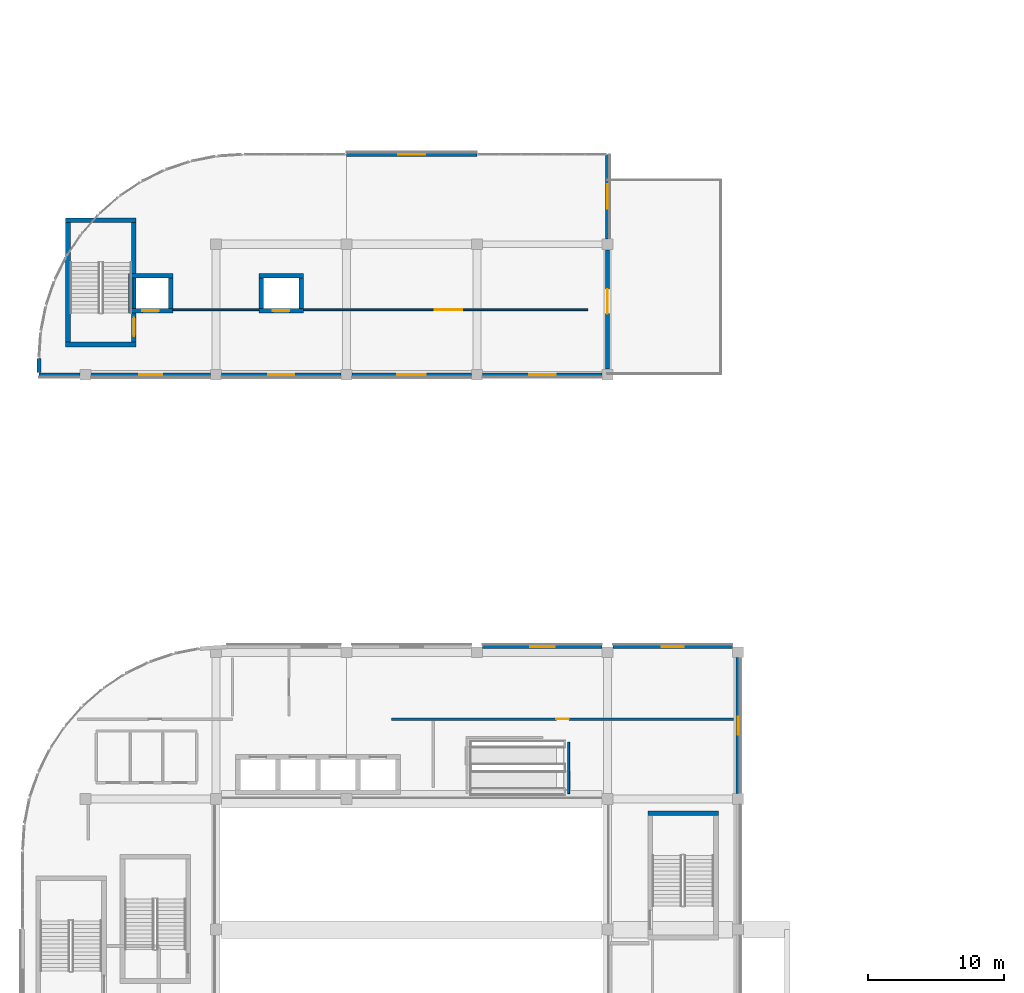
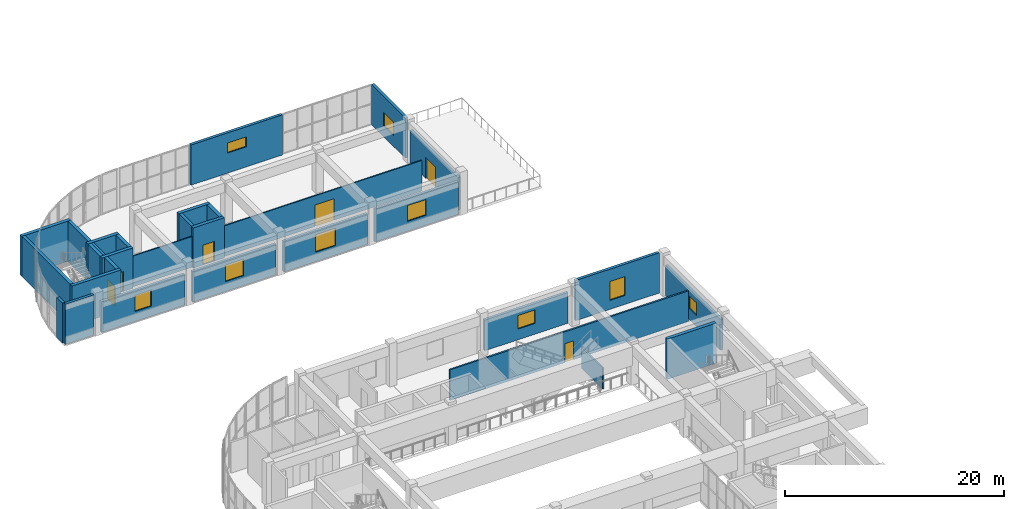
# One storey, part 23 of 33: 29 walls, 9 windows, 6 doors, 15 openings.
"""IFC4 building model written with IfcOpenShell, lengths in metres."""

from ifc_helpers import new_model, si_unit, direction, frame, frame_2d, origin, place, context, subcontext, project, spatial, rectangle, extrude, material, layer, layer_set, type_object, element, fill, save


model = new_model("IFC4")

# Units and contexts
model_context = context("Model", 3, precision=1e-05, world=origin(), true_north=direction((0.0, 1.0)))
body_context = subcontext(model_context, "Body", "Model", "MODEL_VIEW")
ifc_project = project(units=[si_unit("LENGTHUNIT", "METRE"), si_unit("AREAUNIT", "SQUARE_METRE"), si_unit("VOLUMEUNIT", "CUBIC_METRE"), si_unit("PLANEANGLEUNIT", "RADIAN"), si_unit("MASSUNIT", "GRAM", prefix="KILO")], contexts=[model_context])

# Site, building, storey
site_placement = place(None, origin())
site = spatial("IfcSite", under=ifc_project, at=site_placement, CompositionType="ELEMENT")
building_placement = place(site_placement, origin())
building = spatial("IfcBuilding", under=site, at=building_placement, Name="Cendralis Terraced Arcade", CompositionType="ELEMENT")
storey_placement = place(building_placement, frame((0.0, 0.0, 19.800048828125)))
storey = spatial("IfcBuildingStorey", under=building, at=storey_placement, Name="L04", CompositionType="ELEMENT", Elevation=19.800048828125)

# Walls
ifc_material_1 = material(Name="Concrete f'c 42 MPa", Category="concrete")
ifc_layer_1 = layer(ifc_material_1, 0.340087890625, Name="WL-CORE-340")
ifc_layer_set_1 = layer_set([ifc_layer_1], Name="Concrete f'c 42 MPa")
wall_type_1 = type_object("IfcWallType", Name="WL-CORE-340", PredefinedType="SHEAR", material=ifc_layer_set_1)
wall_1_placement = place(storey_placement, frame((50.9599609375, 37.3701171875, 0.0), z_axis=(0.0, 0.0, 1.0), x_axis=(1.0, 0.0, 0.0)))
element("IfcWall", 1, at=wall_1_placement, inside=storey, type_object=wall_type_1, Name="Stair Core Reinforced Concrete Shear Wall SW-ST-04-L04-N", PredefinedType="SHEAR", context=body_context, shape_type="SweptSolid", body=[
    extrude(rectangle(XDim=5.179931640625, YDim=0.340087890625, at=frame_2d((2.58984375, 0.0))), origin(), (0.0, 0.0, 1.0), 4.47998046875),
])
for number, where, z_axis, x_axis, name in (
    (2, (8.159912109375, 71.830078125, 0.0), (0.0, 0.0, 1.0), (1.0, 0.0, 0.0), "Stair Core Reinforced Concrete Shear Wall SW-ST-07-L04-S"),
    (3, (8.159912109375, 80.969970703125, 0.0), (0.0, 0.0, 1.0), (1.0, 0.0, 0.0), "Stair Core Reinforced Concrete Shear Wall SW-ST-07-L04-N"),
):
    element("IfcWall", number, at=place(storey_placement, frame(where, z_axis=z_axis, x_axis=x_axis)), inside=storey, type_object=wall_type_1, Name=name, PredefinedType="SHEAR", context=body_context, shape_type="SweptSolid", body=[
        extrude(rectangle(XDim=5.18017578125, YDim=0.340087890625, at=frame_2d((2.590087890625, 0.0))), origin(), (0.0, 0.0, 1.0), 4.47998046875),
    ])

# Wall, opening, door
wall_2_placement = place(storey_placement, frame((13.169921875, 72.0, 0.0), z_axis=(0.0, 0.0, 1.0), x_axis=(0.0, 1.0, 0.0)))
wall_2 = element("IfcWall", 4, at=wall_2_placement, inside=storey, type_object=wall_type_1, Name="Stair Core Reinforced Concrete Shear Wall SW-ST-07-L04-E", PredefinedType="SHEAR", context=body_context, shape_type="SweptSolid", body=[
    extrude(rectangle(XDim=8.800048828125, YDim=0.340087890625, at=frame_2d((4.39990234375, 0.0))), origin(), (0.0, 0.0, 1.0), 4.47998046875),
])
opening_1_placement = place(wall_2_placement, frame((0.449951171875, 0.0, 0.0)))
opening_1 = element("IfcOpeningElement", 5, at=opening_1_placement, cuts=wall_2, Name="Opening D-ST-07-L04", PredefinedType="OPENING", context=body_context, shape_type="SweptSolid", body=[
    extrude(rectangle(XDim=1.35009765625, YDim=2.199951171875, at=frame_2d((0.675048828125, 1.10009765625))), frame((0.0, 0.18212890625, 0.0), z_axis=(0.0, -1.0, 0.0), x_axis=(1.0, 0.0, 0.0)), (0.0, 0.0, 1.0), 0.364013671875),
])
ifc_material_2 = material(Name="Galvanised fire-rated steel door assembly", Category="steel")
door_type_1 = type_object("IfcDoorType", Name="ID-ST-1350x2200", OperationType="NOTDEFINED", PredefinedType="DOOR", material=ifc_material_2)
door_1_placement = place(opening_1_placement, origin())
door_1 = element("IfcDoor", 6, at=door_1_placement, inside=storey, type_object=door_type_1, Name="Protected Stair ST-07 Fire Door (L04)", OperationType="SINGLE_SWING_RIGHT", OverallHeight=2.199951171875, OverallWidth=1.35009765625, PredefinedType="DOOR", context=body_context, shape_type="SweptSolid", body=[
    extrude(rectangle(XDim=1.35009765625, YDim=2.199951171875, at=frame_2d((0.675048828125, 1.10009765625))), frame((0.0, 0.02490234375, 0.0), z_axis=(0.0, -1.0, 0.0), x_axis=(1.0, 0.0, 0.0)), (0.0, 0.0, 1.0), 0.050048828125),
])
fill(opening_1, door_1)

# Wall
wall_3_placement = place(storey_placement, frame((8.330078125, 72.0, 0.0), z_axis=(0.0, 0.0, 1.0), x_axis=(0.0, 1.0, 0.0)))
element("IfcWall", 7, at=wall_3_placement, inside=storey, type_object=wall_type_1, Name="Stair Core Reinforced Concrete Shear Wall SW-ST-07-L04-W", PredefinedType="SHEAR", context=body_context, shape_type="SweptSolid", body=[
    extrude(rectangle(XDim=8.800048828125, YDim=0.340087890625, at=frame_2d((4.39990234375, 0.0))), origin(), (0.0, 0.0, 1.0), 4.47998046875),
])

# Wall, opening, door
wall_4_placement = place(storey_placement, frame((12.760009765625, 74.304931640625, 0.0), z_axis=(0.0, 0.0, 1.0), x_axis=(1.0, 0.0, 0.0)))
wall_4 = element("IfcWall", 8, at=wall_4_placement, inside=storey, type_object=wall_type_1, Name="Lift PL-05 Reinforced Concrete Shaft Wall (L04)", PredefinedType="SHEAR", context=body_context, shape_type="SweptSolid", body=[
    extrude(rectangle(XDim=3.280029296875, YDim=0.340087890625, at=frame_2d((1.64013671875, 0.0))), origin(), (0.0, 0.0, 1.0), 4.47998046875),
])
opening_2_placement = place(wall_4_placement, frame((1.0400390625, 0.0, 0.0)))
opening_2 = element("IfcOpeningElement", 9, at=opening_2_placement, cuts=wall_4, Name="Opening LD-PL-05-L04", PredefinedType="OPENING", context=body_context, shape_type="SweptSolid", body=[
    extrude(rectangle(XDim=1.199951171875, YDim=2.199951171875, at=frame_2d((0.60009765625, 1.10009765625))), frame((0.0, 0.18212890625, 0.0), z_axis=(0.0, -1.0, 0.0), x_axis=(1.0, 0.0, 0.0)), (0.0, 0.0, 1.0), 0.364013671875),
])
ifc_material_3 = material(Name="Anodised aluminium sliding door assembly", Category="aluminium")
door_type_2 = type_object("IfcDoorType", Name="ID-LD-PX-1200x2200", OperationType="DOUBLE_DOOR_SLIDING", PredefinedType="DOOR", material=ifc_material_3)
door_2_placement = place(opening_2_placement, origin())
door_2 = element("IfcDoor", 10, at=door_2_placement, inside=storey, type_object=door_type_2, Name="Lift PL-05 Sliding Landing Door (L04)", OperationType="DOUBLE_DOOR_SLIDING", OverallHeight=2.199951171875, OverallWidth=1.199951171875, PredefinedType="DOOR", context=body_context, shape_type="SweptSolid", body=[
    extrude(rectangle(XDim=1.199951171875, YDim=2.199951171875, at=frame_2d((0.60009765625, 1.10009765625))), frame((0.0, 0.02490234375, 0.0), z_axis=(0.0, -1.0, 0.0), x_axis=(1.0, 0.0, 0.0)), (0.0, 0.0, 1.0), 0.050048828125),
])
fill(opening_2, door_2)

# Walls
wall_5_placement = place(storey_placement, frame((12.760009765625, 76.89501953125, 0.0), z_axis=(0.0, 0.0, 1.0), x_axis=(1.0, 0.0, 0.0)))
element("IfcWall", 11, at=wall_5_placement, inside=storey, type_object=wall_type_1, Name="Lift PL-05 Reinforced Concrete Shaft Wall (L04)", PredefinedType="SHEAR", context=body_context, shape_type="SweptSolid", body=[
    extrude(rectangle(XDim=3.280029296875, YDim=0.340087890625, at=frame_2d((1.64013671875, 0.0))), origin(), (0.0, 0.0, 1.0), 4.47998046875),
])
for number, where, z_axis, x_axis, name in (
    (12, (12.929931640625, 74.47509765625, 0.0), (0.0, 0.0, 1.0), (0.0, 1.0, 0.0), "Lift PL-05 Reinforced Concrete Shaft Wall (L04)"),
    (13, (15.8701171875, 74.47509765625, 0.0), (0.0, 0.0, 1.0), (0.0, 1.0, 0.0), "Lift PL-05 Reinforced Concrete Shaft Wall (L04)"),
):
    element("IfcWall", number, at=place(storey_placement, frame(where, z_axis=z_axis, x_axis=x_axis)), inside=storey, type_object=wall_type_1, Name=name, PredefinedType="SHEAR", context=body_context, shape_type="SweptSolid", body=[
        extrude(rectangle(XDim=2.25, YDim=0.340087890625, at=frame_2d((1.125, 0.0))), origin(), (0.0, 0.0, 1.0), 4.47998046875),
    ])

# Wall, opening, door
wall_6_placement = place(storey_placement, frame((22.360107421875, 74.304931640625, 0.0), z_axis=(0.0, 0.0, 1.0), x_axis=(1.0, 0.0, 0.0)))
wall_6 = element("IfcWall", 14, at=wall_6_placement, inside=storey, type_object=wall_type_1, Name="Lift PL-06 Reinforced Concrete Shaft Wall (L04)", PredefinedType="SHEAR", context=body_context, shape_type="SweptSolid", body=[
    extrude(rectangle(XDim=3.27978515625, YDim=0.340087890625, at=frame_2d((1.639892578125, 0.0))), origin(), (0.0, 0.0, 1.0), 4.47998046875),
])
opening_3_placement = place(wall_6_placement, frame((1.0400390625, 0.0, 0.0)))
opening_3 = element("IfcOpeningElement", 15, at=opening_3_placement, cuts=wall_6, Name="Opening LD-PL-06-L04", PredefinedType="OPENING", context=body_context, shape_type="SweptSolid", body=[
    extrude(rectangle(XDim=1.199951171875, YDim=2.199951171875, at=frame_2d((0.60009765625, 1.10009765625))), frame((0.0, 0.18212890625, 0.0), z_axis=(0.0, -1.0, 0.0), x_axis=(1.0, 0.0, 0.0)), (0.0, 0.0, 1.0), 0.364013671875),
])
door_3_placement = place(opening_3_placement, origin())
door_3 = element("IfcDoor", 16, at=door_3_placement, inside=storey, type_object=door_type_2, Name="Lift PL-06 Sliding Landing Door (L04)", OperationType="DOUBLE_DOOR_SLIDING", OverallHeight=2.199951171875, OverallWidth=1.199951171875, PredefinedType="DOOR", context=body_context, shape_type="SweptSolid", body=[
    extrude(rectangle(XDim=1.199951171875, YDim=2.199951171875, at=frame_2d((0.60009765625, 1.10009765625))), frame((0.0, 0.02490234375, 0.0), z_axis=(0.0, -1.0, 0.0), x_axis=(1.0, 0.0, 0.0)), (0.0, 0.0, 1.0), 0.050048828125),
])
fill(opening_3, door_3)

# Walls
wall_7_placement = place(storey_placement, frame((22.360107421875, 76.89501953125, 0.0), z_axis=(0.0, 0.0, 1.0), x_axis=(1.0, 0.0, 0.0)))
element("IfcWall", 17, at=wall_7_placement, inside=storey, type_object=wall_type_1, Name="Lift PL-06 Reinforced Concrete Shaft Wall (L04)", PredefinedType="SHEAR", context=body_context, shape_type="SweptSolid", body=[
    extrude(rectangle(XDim=3.27978515625, YDim=0.340087890625, at=frame_2d((1.639892578125, 0.0))), origin(), (0.0, 0.0, 1.0), 4.47998046875),
])
for number, where, z_axis, x_axis, name in (
    (18, (22.530029296875, 74.47509765625, 0.0), (0.0, 0.0, 1.0), (0.0, 1.0, 0.0), "Lift PL-06 Reinforced Concrete Shaft Wall (L04)"),
    (19, (25.469970703125, 74.47509765625, 0.0), (0.0, 0.0, 1.0), (0.0, 1.0, 0.0), "Lift PL-06 Reinforced Concrete Shaft Wall (L04)"),
):
    element("IfcWall", number, at=place(storey_placement, frame(where, z_axis=z_axis, x_axis=x_axis)), inside=storey, type_object=wall_type_1, Name=name, PredefinedType="SHEAR", context=body_context, shape_type="SweptSolid", body=[
        extrude(rectangle(XDim=2.25, YDim=0.340087890625, at=frame_2d((1.125, 0.0))), origin(), (0.0, 0.0, 1.0), 4.47998046875),
    ])

# Wall, opening, window
ifc_material_4 = material(Name="Precast concrete f'c 40 MPa", Category="concrete")
ifc_layer_2 = layer(ifc_material_4, 0.280029296875, Name="WL-EXT-GRC-280")
ifc_layer_set_2 = layer_set([ifc_layer_2], Name="Precast concrete f'c 40 MPa")
wall_type_2 = type_object("IfcWallType", Name="WL-EXT-GRC-280", PredefinedType="SOLIDWALL", material=ifc_layer_set_2)
wall_8_placement = place(storey_placement, frame((38.798095703125, 49.60009765625, 0.0), z_axis=(0.0, 0.0, 1.0), x_axis=(1.0, 0.0, 0.0)))
wall_8 = element("IfcWall", 20, at=wall_8_placement, inside=storey, type_object=wall_type_2, Name="Exterior Architectural Wall EW-L04-0300", PredefinedType="SOLIDWALL", context=body_context, shape_type="SweptSolid", body=[
    extrude(rectangle(XDim=8.803955078125, YDim=0.280029296875, at=frame_2d((4.40185546875, 0.0))), origin(), (0.0, 0.0, 1.0), 3.419921875),
])
opening_4_placement = place(wall_8_placement, frame((3.501953125, 0.0, 1.199951171875)))
opening_4 = element("IfcOpeningElement", 21, at=opening_4_placement, cuts=wall_8, Name="Opening W-19", PredefinedType="OPENING", context=body_context, shape_type="SweptSolid", body=[
    extrude(rectangle(XDim=1.800048828125, YDim=1.5, at=frame_2d((0.89990234375, 0.75))), frame((0.0, 0.15185546875, 0.0), z_axis=(0.0, -1.0, 0.0), x_axis=(1.0, 0.0, 0.0)), (0.0, 0.0, 1.0), 0.303955078125),
])
ifc_material_5 = material(Name="Tempered solar control laminated glass", Category="glass")
window_type_1 = type_object("IfcWindowType", Name="WN-BOH-1800x1500", PartitioningType="SINGLE_PANEL", PredefinedType="WINDOW", material=ifc_material_5)
window_1_placement = place(opening_4_placement, origin())
window_1 = element("IfcWindow", 22, at=window_1_placement, inside=storey, type_object=window_type_1, Name="Exterior Solar-Control Window WN-L04-0203", OverallHeight=1.5, OverallWidth=1.800048828125, PartitioningType="SINGLE_PANEL", PredefinedType="WINDOW", context=body_context, shape_type="SweptSolid", body=[
    extrude(rectangle(XDim=1.800048828125, YDim=1.5, at=frame_2d((0.89990234375, 0.75))), frame((0.0, 0.030029296875, 0.0), z_axis=(0.0, -1.0, 0.0), x_axis=(1.0, 0.0, 0.0)), (0.0, 0.0, 1.0), 0.06005859375),
])
fill(opening_4, window_1)

wall_9_placement = place(storey_placement, frame((48.39794921875, 49.60009765625, 0.0), z_axis=(0.0, 0.0, 1.0), x_axis=(1.0, 0.0, 0.0)))
wall_9 = element("IfcWall", 23, at=wall_9_placement, inside=storey, type_object=wall_type_2, Name="Exterior Architectural Wall EW-L04-0301", PredefinedType="SOLIDWALL", context=body_context, shape_type="SweptSolid", body=[
    extrude(rectangle(XDim=8.803955078125, YDim=0.280029296875, at=frame_2d((4.40185546875, 0.0))), origin(), (0.0, 0.0, 1.0), 4.47998046875),
])
opening_5_placement = place(wall_9_placement, frame((3.60205078125, 0.0, 1.0)))
opening_5 = element("IfcOpeningElement", 24, at=opening_5_placement, cuts=wall_9, Name="Opening W-05", PredefinedType="OPENING", context=body_context, shape_type="SweptSolid", body=[
    extrude(rectangle(XDim=1.60009765625, YDim=2.10009765625, at=frame_2d((0.800048828125, 1.050048828125))), frame((0.0, 0.15185546875, 0.0), z_axis=(0.0, -1.0, 0.0), x_axis=(1.0, 0.0, 0.0)), (0.0, 0.0, 1.0), 0.303955078125),
])
window_type_2 = type_object("IfcWindowType", Name="WN-F1-1600x2100", PartitioningType="SINGLE_PANEL", PredefinedType="WINDOW", material=ifc_material_5)
window_2_placement = place(opening_5_placement, origin())
window_2 = element("IfcWindow", 25, at=window_2_placement, inside=storey, type_object=window_type_2, Name="Exterior Solar-Control Window WN-L04-0204", OverallHeight=2.10009765625, OverallWidth=1.60009765625, PartitioningType="SINGLE_PANEL", PredefinedType="WINDOW", context=body_context, shape_type="SweptSolid", body=[
    extrude(rectangle(XDim=1.60009765625, YDim=2.10009765625, at=frame_2d((0.800048828125, 1.050048828125))), frame((0.0, 0.030029296875, 0.0), z_axis=(0.0, -1.0, 0.0), x_axis=(1.0, 0.0, 0.0)), (0.0, 0.0, 1.0), 0.06005859375),
])
fill(opening_5, window_2)

wall_10_placement = place(storey_placement, frame((57.60009765625, 48.802001953125, 0.0), z_axis=(0.0, 0.0, 1.0), x_axis=(0.0, -1.0, 0.0)))
wall_10 = element("IfcWall", 26, at=wall_10_placement, inside=storey, type_object=wall_type_2, Name="Exterior Architectural Wall EW-L04-0302", PredefinedType="SOLIDWALL", context=body_context, shape_type="SweptSolid", body=[
    extrude(rectangle(XDim=10.00390625, YDim=0.280029296875, at=frame_2d((5.001953125, 0.0))), origin(), (0.0, 0.0, 1.0), 3.419921875),
])
opening_6_placement = place(wall_10_placement, frame((4.326904296875, 0.0, 1.25)))
opening_6 = element("IfcOpeningElement", 27, at=opening_6_placement, cuts=wall_10, Name="Opening W-21", PredefinedType="OPENING", context=body_context, shape_type="SweptSolid", body=[
    extrude(rectangle(XDim=1.35009765625, YDim=1.39990234375, at=frame_2d((0.675048828125, 0.699951171875))), frame((0.0, 0.15185546875, 0.0), z_axis=(0.0, -1.0, 0.0), x_axis=(1.0, 0.0, 0.0)), (0.0, 0.0, 1.0), 0.303955078125),
])
window_type_3 = type_object("IfcWindowType", Name="WN-BOH-1350x1400", PartitioningType="SINGLE_PANEL", PredefinedType="WINDOW", material=ifc_material_5)
window_3_placement = place(opening_6_placement, origin())
window_3 = element("IfcWindow", 28, at=window_3_placement, inside=storey, type_object=window_type_3, Name="Exterior Solar-Control Window WN-L04-0205", OverallHeight=1.39990234375, OverallWidth=1.35009765625, PartitioningType="SINGLE_PANEL", PredefinedType="WINDOW", context=body_context, shape_type="SweptSolid", body=[
    extrude(rectangle(XDim=1.35009765625, YDim=1.39990234375, at=frame_2d((0.675048828125, 0.699951171875))), frame((0.0, 0.030029296875, 0.0), z_axis=(0.0, -1.0, 0.0), x_axis=(1.0, 0.0, 0.0)), (0.0, 0.0, 1.0), 0.06005859375),
])
fill(opening_6, window_3)

wall_11_placement = place(storey_placement, frame((28.800048828125, 85.800048828125, 0.0), z_axis=(0.0, 0.0, 1.0), x_axis=(1.0, 0.0, 0.0)))
wall_11 = element("IfcWall", 29, at=wall_11_placement, inside=storey, type_object=wall_type_2, Name="Exterior Architectural Wall EW-L04-0314", PredefinedType="SOLIDWALL", context=body_context, shape_type="SweptSolid", body=[
    extrude(rectangle(XDim=9.599853515625, YDim=0.280029296875, at=frame_2d((4.7998046875, 0.0))), origin(), (0.0, 0.0, 1.0), 4.47998046875),
])
opening_7_placement = place(wall_11_placement, frame((3.800048828125, 0.0, 2.25)))
opening_7 = element("IfcOpeningElement", 30, at=opening_7_placement, cuts=wall_11, Name="Opening W-18", PredefinedType="OPENING", context=body_context, shape_type="SweptSolid", body=[
    extrude(rectangle(XDim=2.0, YDim=1.10009765625, at=frame_2d((1.0, 0.550048828125))), frame((0.0, 0.15185546875, 0.0), z_axis=(0.0, -1.0, 0.0), x_axis=(1.0, 0.0, 0.0)), (0.0, 0.0, 1.0), 0.303955078125),
])
window_type_4 = type_object("IfcWindowType", Name="WN-CL-2000x1100", PartitioningType="SINGLE_PANEL", PredefinedType="WINDOW", material=ifc_material_5)
window_4_placement = place(opening_7_placement, origin())
window_4 = element("IfcWindow", 31, at=window_4_placement, inside=storey, type_object=window_type_4, Name="Exterior Solar-Control Window WN-L04-0209", OverallHeight=1.10009765625, OverallWidth=2.0, PartitioningType="SINGLE_PANEL", PredefinedType="WINDOW", context=body_context, shape_type="SweptSolid", body=[
    extrude(rectangle(XDim=2.0, YDim=1.10009765625, at=frame_2d((1.0, 0.550048828125))), frame((0.0, 0.030029296875, 0.0), z_axis=(0.0, -1.0, 0.0), x_axis=(1.0, 0.0, 0.0)), (0.0, 0.0, 1.0), 0.06005859375),
])
fill(opening_7, window_4)

wall_12_placement = place(storey_placement, frame((48.0, 85.800048828125, 0.0), z_axis=(0.0, 0.0, 1.0), x_axis=(0.0, -1.0, 0.0)))
wall_12 = element("IfcWall", 32, at=wall_12_placement, inside=storey, type_object=wall_type_2, Name="Exterior Architectural Wall EW-L04-0315", PredefinedType="SOLIDWALL", context=body_context, shape_type="SweptSolid", body=[
    extrude(rectangle(XDim=6.2021484375, YDim=0.280029296875, at=frame_2d((3.10107421875, 0.0))), origin(), (0.0, 0.0, 1.0), 4.47998046875),
])
opening_8_placement = place(wall_12_placement, frame((2.200927734375, 0.0, 1.199951171875)))
opening_8 = element("IfcOpeningElement", 33, at=opening_8_placement, cuts=wall_12, Name="Opening W-19", PredefinedType="OPENING", context=body_context, shape_type="SweptSolid", body=[
    extrude(rectangle(XDim=1.800048828125, YDim=1.5, at=frame_2d((0.89990234375, 0.75))), frame((0.0, 0.15185546875, 0.0), z_axis=(0.0, -1.0, 0.0), x_axis=(1.0, 0.0, 0.0)), (0.0, 0.0, 1.0), 0.303955078125),
])
window_5_placement = place(opening_8_placement, origin())
window_5 = element("IfcWindow", 34, at=window_5_placement, inside=storey, type_object=window_type_1, Name="Exterior Solar-Control Window WN-L04-0210", OverallHeight=1.5, OverallWidth=1.800048828125, PartitioningType="SINGLE_PANEL", PredefinedType="WINDOW", context=body_context, shape_type="SweptSolid", body=[
    extrude(rectangle(XDim=1.800048828125, YDim=1.5, at=frame_2d((0.89990234375, 0.75))), frame((0.0, 0.030029296875, 0.0), z_axis=(0.0, -1.0, 0.0), x_axis=(1.0, 0.0, 0.0)), (0.0, 0.0, 1.0), 0.06005859375),
])
fill(opening_8, window_5)

# Wall, opening, door
wall_13_placement = place(storey_placement, frame((48.0, 78.77490234375, 0.0), z_axis=(0.0, 0.0, 1.0), x_axis=(0.0, -1.0, 0.0)))
wall_13 = element("IfcWall", 35, at=wall_13_placement, inside=storey, type_object=wall_type_2, Name="Exterior Architectural Wall EW-L04-0316", PredefinedType="SOLIDWALL", context=body_context, shape_type="SweptSolid", body=[
    extrude(rectangle(XDim=8.75, YDim=0.280029296875, at=frame_2d((4.375, 0.0))), origin(), (0.0, 0.0, 1.0), 3.64501953125),
])
opening_9_placement = place(wall_13_placement, frame((2.875, 0.0, 0.0)))
opening_9 = element("IfcOpeningElement", 36, at=opening_9_placement, cuts=wall_13, Name="Opening TD-L04-06", PredefinedType="OPENING", context=body_context, shape_type="SweptSolid", body=[
    extrude(rectangle(XDim=1.800048828125, YDim=2.35009765625, at=frame_2d((0.89990234375, 1.175048828125))), frame((0.0, 0.15185546875, 0.0), z_axis=(0.0, -1.0, 0.0), x_axis=(1.0, 0.0, 0.0)), (0.0, 0.0, 1.0), 0.303955078125),
])
ifc_material_6 = material(Name="Powder-coated thermally broken aluminium and glass", Category="aluminium")
door_type_3 = type_object("IfcDoorType", Name="ED-TER-1800x2350", OperationType="DOUBLE_DOOR_SINGLE_SWING", PredefinedType="DOOR", material=ifc_material_6)
door_4_placement = place(opening_9_placement, origin())
door_4 = element("IfcDoor", 37, at=door_4_placement, inside=storey, type_object=door_type_3, Name="Planted Terrace Access Door TD-L04-06", OperationType="DOUBLE_DOOR_SINGLE_SWING", OverallHeight=2.35009765625, OverallWidth=1.800048828125, PredefinedType="DOOR", context=body_context, shape_type="SweptSolid", body=[
    extrude(rectangle(XDim=1.800048828125, YDim=2.35009765625, at=frame_2d((0.89990234375, 1.175048828125))), frame((0.0, 0.02490234375, 0.0), z_axis=(0.0, -1.0, 0.0), x_axis=(1.0, 0.0, 0.0)), (0.0, 0.0, 1.0), 0.050048828125),
])
fill(opening_9, door_4)

# Wall, opening, window
wall_14_placement = place(storey_placement, frame((47.60205078125, 69.60009765625, 0.0), z_axis=(0.0, 0.0, 1.0), x_axis=(-1.0, 0.0, 0.0)))
wall_14 = element("IfcWall", 38, at=wall_14_placement, inside=storey, type_object=wall_type_2, Name="Exterior Architectural Wall EW-L04-0317", PredefinedType="SOLIDWALL", context=body_context, shape_type="SweptSolid", body=[
    extrude(rectangle(XDim=8.803955078125, YDim=0.280029296875, at=frame_2d((4.40185546875, 0.0))), origin(), (0.0, 0.0, 1.0), 3.64501953125),
])
opening_10_placement = place(wall_14_placement, frame((3.427001953125, 0.0, 1.10009765625)))
opening_10 = element("IfcOpeningElement", 39, at=opening_10_placement, cuts=wall_14, Name="Opening W-27", PredefinedType="OPENING", context=body_context, shape_type="SweptSolid", body=[
    extrude(rectangle(XDim=1.949951171875, YDim=1.75, at=frame_2d((0.97509765625, 0.875))), frame((0.0, 0.15185546875, 0.0), z_axis=(0.0, -1.0, 0.0), x_axis=(1.0, 0.0, 0.0)), (0.0, 0.0, 1.0), 0.303955078125),
])
window_type_5 = type_object("IfcWindowType", Name="WN-F3-1950x1750", PartitioningType="SINGLE_PANEL", PredefinedType="WINDOW", material=ifc_material_5)
window_6_placement = place(opening_10_placement, origin())
window_6 = element("IfcWindow", 40, at=window_6_placement, inside=storey, type_object=window_type_5, Name="Exterior Solar-Control Window WN-L04-0211", OverallHeight=1.75, OverallWidth=1.949951171875, PartitioningType="SINGLE_PANEL", PredefinedType="WINDOW", context=body_context, shape_type="SweptSolid", body=[
    extrude(rectangle(XDim=1.949951171875, YDim=1.75, at=frame_2d((0.97509765625, 0.875))), frame((0.0, 0.030029296875, 0.0), z_axis=(0.0, -1.0, 0.0), x_axis=(1.0, 0.0, 0.0)), (0.0, 0.0, 1.0), 0.06005859375),
])
fill(opening_10, window_6)

wall_15_placement = place(storey_placement, frame((38.001953125, 69.60009765625, 0.0), z_axis=(0.0, 0.0, 1.0), x_axis=(-1.0, 0.0, 0.0)))
wall_15 = element("IfcWall", 41, at=wall_15_placement, inside=storey, type_object=wall_type_2, Name="Exterior Architectural Wall EW-L04-0318", PredefinedType="SOLIDWALL", context=body_context, shape_type="SweptSolid", body=[
    extrude(rectangle(XDim=8.803955078125, YDim=0.280029296875, at=frame_2d((4.40185546875, 0.0))), origin(), (0.0, 0.0, 1.0), 3.419921875),
])
opening_11_placement = place(wall_15_placement, frame((3.35205078125, 0.0, 1.050048828125)))
opening_11 = element("IfcOpeningElement", 42, at=opening_11_placement, cuts=wall_15, Name="Opening W-12", PredefinedType="OPENING", context=body_context, shape_type="SweptSolid", body=[
    extrude(rectangle(XDim=2.10009765625, YDim=1.949951171875, at=frame_2d((1.050048828125, 0.97509765625))), frame((0.0, 0.15185546875, 0.0), z_axis=(0.0, -1.0, 0.0), x_axis=(1.0, 0.0, 0.0)), (0.0, 0.0, 1.0), 0.303955078125),
])
window_type_6 = type_object("IfcWindowType", Name="WN-F2-2100x1950", PartitioningType="SINGLE_PANEL", PredefinedType="WINDOW", material=ifc_material_5)
window_7_placement = place(opening_11_placement, origin())
window_7 = element("IfcWindow", 43, at=window_7_placement, inside=storey, type_object=window_type_6, Name="Exterior Solar-Control Window WN-L04-0212", OverallHeight=1.949951171875, OverallWidth=2.10009765625, PartitioningType="SINGLE_PANEL", PredefinedType="WINDOW", context=body_context, shape_type="SweptSolid", body=[
    extrude(rectangle(XDim=2.10009765625, YDim=1.949951171875, at=frame_2d((1.050048828125, 0.97509765625))), frame((0.0, 0.030029296875, 0.0), z_axis=(0.0, -1.0, 0.0), x_axis=(1.0, 0.0, 0.0)), (0.0, 0.0, 1.0), 0.06005859375),
])
fill(opening_11, window_7)

wall_16_placement = place(storey_placement, frame((28.402099609375, 69.60009765625, 0.0), z_axis=(0.0, 0.0, 1.0), x_axis=(-1.0, 0.0, 0.0)))
wall_16 = element("IfcWall", 44, at=wall_16_placement, inside=storey, type_object=wall_type_2, Name="Exterior Architectural Wall EW-L04-0319", PredefinedType="SOLIDWALL", context=body_context, shape_type="SweptSolid", body=[
    extrude(rectangle(XDim=8.80419921875, YDim=0.280029296875, at=frame_2d((4.402099609375, 0.0))), origin(), (0.0, 0.0, 1.0), 3.419921875),
])
opening_12_placement = place(wall_16_placement, frame((3.451904296875, 0.0, 1.10009765625)))
opening_12 = element("IfcOpeningElement", 45, at=opening_12_placement, cuts=wall_16, Name="Opening W-13", PredefinedType="OPENING", context=body_context, shape_type="SweptSolid", body=[
    extrude(rectangle(XDim=1.89990234375, YDim=1.85009765625, at=frame_2d((0.949951171875, 0.925048828125))), frame((0.0, 0.15185546875, 0.0), z_axis=(0.0, -1.0, 0.0), x_axis=(1.0, 0.0, 0.0)), (0.0, 0.0, 1.0), 0.303955078125),
])
window_type_7 = type_object("IfcWindowType", Name="WN-F2-1900x1850", PartitioningType="SINGLE_PANEL", PredefinedType="WINDOW", material=ifc_material_5)
window_8_placement = place(opening_12_placement, origin())
window_8 = element("IfcWindow", 46, at=window_8_placement, inside=storey, type_object=window_type_7, Name="Exterior Solar-Control Window WN-L04-0213", OverallHeight=1.85009765625, OverallWidth=1.89990234375, PartitioningType="SINGLE_PANEL", PredefinedType="WINDOW", context=body_context, shape_type="SweptSolid", body=[
    extrude(rectangle(XDim=1.89990234375, YDim=1.85009765625, at=frame_2d((0.949951171875, 0.925048828125))), frame((0.0, 0.030029296875, 0.0), z_axis=(0.0, -1.0, 0.0), x_axis=(1.0, 0.0, 0.0)), (0.0, 0.0, 1.0), 0.06005859375),
])
fill(opening_12, window_8)

wall_17_placement = place(storey_placement, frame((18.802001953125, 69.60009765625, 0.0), z_axis=(0.0, 0.0, 1.0), x_axis=(-1.0, 0.0, 0.0)))
wall_17 = element("IfcWall", 47, at=wall_17_placement, inside=storey, type_object=wall_type_2, Name="Exterior Architectural Wall EW-L04-0320", PredefinedType="SOLIDWALL", context=body_context, shape_type="SweptSolid", body=[
    extrude(rectangle(XDim=8.803955078125, YDim=0.280029296875, at=frame_2d((4.40185546875, 0.0))), origin(), (0.0, 0.0, 1.0), 3.419921875),
])
opening_13_placement = place(wall_17_placement, frame((3.552001953125, 0.0, 1.10009765625)))
opening_13 = element("IfcOpeningElement", 48, at=opening_13_placement, cuts=wall_17, Name="Opening W-14", PredefinedType="OPENING", context=body_context, shape_type="SweptSolid", body=[
    extrude(rectangle(XDim=1.699951171875, YDim=1.800048828125, at=frame_2d((0.85009765625, 0.89990234375))), frame((0.0, 0.15185546875, 0.0), z_axis=(0.0, -1.0, 0.0), x_axis=(1.0, 0.0, 0.0)), (0.0, 0.0, 1.0), 0.303955078125),
])
window_type_8 = type_object("IfcWindowType", Name="WN-F2-1700x1800", PartitioningType="SINGLE_PANEL", PredefinedType="WINDOW", material=ifc_material_5)
window_9_placement = place(opening_13_placement, origin())
window_9 = element("IfcWindow", 49, at=window_9_placement, inside=storey, type_object=window_type_8, Name="Exterior Solar-Control Window WN-L04-0214", OverallHeight=1.800048828125, OverallWidth=1.699951171875, PartitioningType="SINGLE_PANEL", PredefinedType="WINDOW", context=body_context, shape_type="SweptSolid", body=[
    extrude(rectangle(XDim=1.699951171875, YDim=1.800048828125, at=frame_2d((0.85009765625, 0.89990234375))), frame((0.0, 0.030029296875, 0.0), z_axis=(0.0, -1.0, 0.0), x_axis=(1.0, 0.0, 0.0)), (0.0, 0.0, 1.0), 0.06005859375),
])
fill(opening_13, window_9)

# Walls
wall_18_placement = place(storey_placement, frame((9.201904296875, 69.60009765625, 0.0), z_axis=(0.0, 0.0, 1.0), x_axis=(-1.0, 0.0, 0.0)))
element("IfcWall", 50, at=wall_18_placement, inside=storey, type_object=wall_type_2, Name="Exterior Architectural Wall EW-L04-0321", PredefinedType="SOLIDWALL", context=body_context, shape_type="SweptSolid", body=[
    extrude(rectangle(XDim=3.001953125, YDim=0.280029296875, at=frame_2d((1.5009765625, 0.0))), origin(), (0.0, 0.0, 1.0), 4.47998046875),
])
wall_19_placement = place(storey_placement, frame((6.199951171875, 69.760009765625, 0.0), z_axis=(0.0, 0.0, 1.0), x_axis=(0.0, 1.0, 0.0)))
element("IfcWall", 51, at=wall_19_placement, inside=storey, type_object=wall_type_2, Name="Exterior Architectural Wall EW-L04-0322", PredefinedType="SOLIDWALL", context=body_context, shape_type="SweptSolid", body=[
    extrude(rectangle(XDim=1.0400390625, YDim=0.280029296875, at=frame_2d((0.52001953125, 0.0))), origin(), (0.0, 0.0, 1.0), 4.47998046875),
])
ifc_material_7 = material(Name="Gypsum plasterboard acoustic partition", Category="concrete")
ifc_layer_3 = layer(ifc_material_7, 0.117919921875, Name="WL-PART-118")
ifc_layer_set_3 = layer_set([ifc_layer_3], Name="Gypsum plasterboard acoustic partition")
wall_type_3 = type_object("IfcWallType", Name="WL-PART-118", PredefinedType="PARTITIONING", material=ifc_layer_set_3)
wall_20_placement = place(storey_placement, frame((22.360107421875, 74.3798828125, 0.0), z_axis=(0.0, 0.0, 1.0), x_axis=(-1.0, 0.0, 0.0)))
element("IfcWall", 52, at=wall_20_placement, inside=storey, type_object=wall_type_3, Name="Interior Partition Wall IW-L04-0590", PredefinedType="PARTITIONING", context=body_context, shape_type="SweptSolid", body=[
    extrude(rectangle(XDim=6.320068359375, YDim=0.117919921875, at=frame_2d((3.16015625, 0.0))), origin(), (0.0, 0.0, 1.0), 3.419921875),
])

# Wall, opening, door
ifc_layer_4 = layer(ifc_material_7, 0.1220703125, Name="WL-PART-122")
ifc_layer_set_4 = layer_set([ifc_layer_4], Name="Gypsum plasterboard acoustic partition")
wall_type_4 = type_object("IfcWallType", Name="WL-PART-122", PredefinedType="PARTITIONING", material=ifc_layer_set_4)
wall_21_placement = place(storey_placement, frame((46.550048828125, 74.3798828125, 0.0), z_axis=(0.0, 0.0, 1.0), x_axis=(-1.0, 0.0, 0.0)))
wall_21 = element("IfcWall", 53, at=wall_21_placement, inside=storey, type_object=wall_type_4, Name="Interior Partition Wall IW-L04-0589", PredefinedType="PARTITIONING", context=body_context, shape_type="SweptSolid", body=[
    extrude(rectangle(XDim=20.91015625, YDim=0.1220703125, at=frame_2d((10.455078125, 0.0))), origin(), (0.0, 0.0, 1.0), 3.419921875),
])
opening_14_placement = place(wall_21_placement, frame((9.251708984375, 0.0, 0.0)))
opening_14 = element("IfcOpeningElement", 54, at=opening_14_placement, cuts=wall_21, Name="Opening D-L04-159", PredefinedType="OPENING", context=body_context, shape_type="SweptSolid", body=[
    extrude(rectangle(XDim=2.0, YDim=2.39990234375, at=frame_2d((1.0, 1.199951171875))), frame((0.0, 0.072998046875, 0.0), z_axis=(0.0, -1.0, 0.0), x_axis=(1.0, 0.0, 0.0)), (0.0, 0.0, 1.0), 0.14599609375),
])
ifc_material_8 = material(Name="Solid core Andean oak veneer door leaf", Category="aluminium")
door_type_4 = type_object("IfcDoorType", Name="ID-DEP-2000x2400", OperationType="DOUBLE_DOOR_SINGLE_SWING", PredefinedType="DOOR", material=ifc_material_8)
door_5_placement = place(opening_14_placement, origin())
door_5 = element("IfcDoor", 55, at=door_5_placement, inside=storey, type_object=door_type_4, Name="Electronics and Audio Studio Gallery Door D-L04-159", OperationType="DOUBLE_DOOR_SINGLE_SWING", OverallHeight=2.39990234375, OverallWidth=2.0, PredefinedType="DOOR", context=body_context, shape_type="SweptSolid", body=[
    extrude(rectangle(XDim=2.0, YDim=2.39990234375, at=frame_2d((1.0, 1.199951171875))), frame((0.0, 0.02490234375, 0.0), z_axis=(0.0, -1.0, 0.0), x_axis=(1.0, 0.0, 0.0)), (0.0, 0.0, 1.0), 0.050048828125),
])
fill(opening_14, door_5)

# Wall
ifc_layer_5 = layer(ifc_material_7, 0.14501953125, Name="WL-PART-145")
ifc_layer_set_5 = layer_set([ifc_layer_5], Name="Gypsum plasterboard acoustic partition")
wall_type_5 = type_object("IfcWallType", Name="WL-PART-145", PredefinedType="PARTITIONING", material=ifc_layer_set_5)
wall_22_placement = place(storey_placement, frame((45.139892578125, 38.800048828125, 0.0), z_axis=(0.0, 0.0, 1.0), x_axis=(0.0, 1.0, 0.0)))
element("IfcWall", 56, at=wall_22_placement, inside=storey, type_object=wall_type_5, Name="Interior Partition Wall IW-L04-0586", PredefinedType="PARTITIONING", context=body_context, shape_type="SweptSolid", body=[
    extrude(rectangle(XDim=3.800048828125, YDim=0.14501953125, at=frame_2d((1.89990234375, 0.0))), origin(), (0.0, 0.0, 1.0), 2.369873046875),
])

# Wall, opening, door
ifc_layer_6 = layer(ifc_material_7, 0.169921875, Name="WL-PART-170")
ifc_layer_set_6 = layer_set([ifc_layer_6], Name="Gypsum plasterboard acoustic partition")
wall_type_6 = type_object("IfcWallType", Name="WL-PART-170", PredefinedType="PARTITIONING", material=ifc_layer_set_6)
wall_23_placement = place(storey_placement, frame((32.1201171875, 44.280029296875, 0.0), z_axis=(0.0, 0.0, 1.0), x_axis=(1.0, 0.0, 0.0)))
wall_23 = element("IfcWall", 57, at=wall_23_placement, inside=storey, type_object=wall_type_6, Name="Interior Partition Wall IW-L04-0581", PredefinedType="PARTITIONING", context=body_context, shape_type="SweptSolid", body=[
    extrude(rectangle(XDim=25.139892578125, YDim=0.169921875, at=frame_2d((12.56982421875, 0.0))), origin(), (0.0, 0.0, 1.0), 3.419921875),
])
opening_15_placement = place(wall_23_placement, frame((12.110107421875, 0.0, 0.0)))
opening_15 = element("IfcOpeningElement", 58, at=opening_15_placement, cuts=wall_23, Name="Opening D-L04-156", PredefinedType="OPENING", context=body_context, shape_type="SweptSolid", body=[
    extrude(rectangle(XDim=0.919921875, YDim=2.10009765625, at=frame_2d((0.4599609375, 1.050048828125))), frame((0.0, 0.096923828125, 0.0), z_axis=(0.0, -1.0, 0.0), x_axis=(1.0, 0.0, 0.0)), (0.0, 0.0, 1.0), 0.19384765625),
])
door_type_5 = type_object("IfcDoorType", Name="ID-RM-0920x2100", OperationType="NOTDEFINED", PredefinedType="DOOR", material=ifc_material_8)
door_6_placement = place(opening_15_placement, origin())
door_6 = element("IfcDoor", 59, at=door_6_placement, inside=storey, type_object=door_type_5, Name="Bookshop and Stationery Salon Door D-L04-156", OperationType="SINGLE_SWING_LEFT", OverallHeight=2.10009765625, OverallWidth=0.919921875, PredefinedType="DOOR", context=body_context, shape_type="SweptSolid", body=[
    extrude(rectangle(XDim=0.919921875, YDim=2.10009765625, at=frame_2d((0.4599609375, 1.050048828125))), frame((0.0, 0.02490234375, 0.0), z_axis=(0.0, -1.0, 0.0), x_axis=(1.0, 0.0, 0.0)), (0.0, 0.0, 1.0), 0.050048828125),
])
fill(opening_15, door_6)

save(model, "model.ifc")
